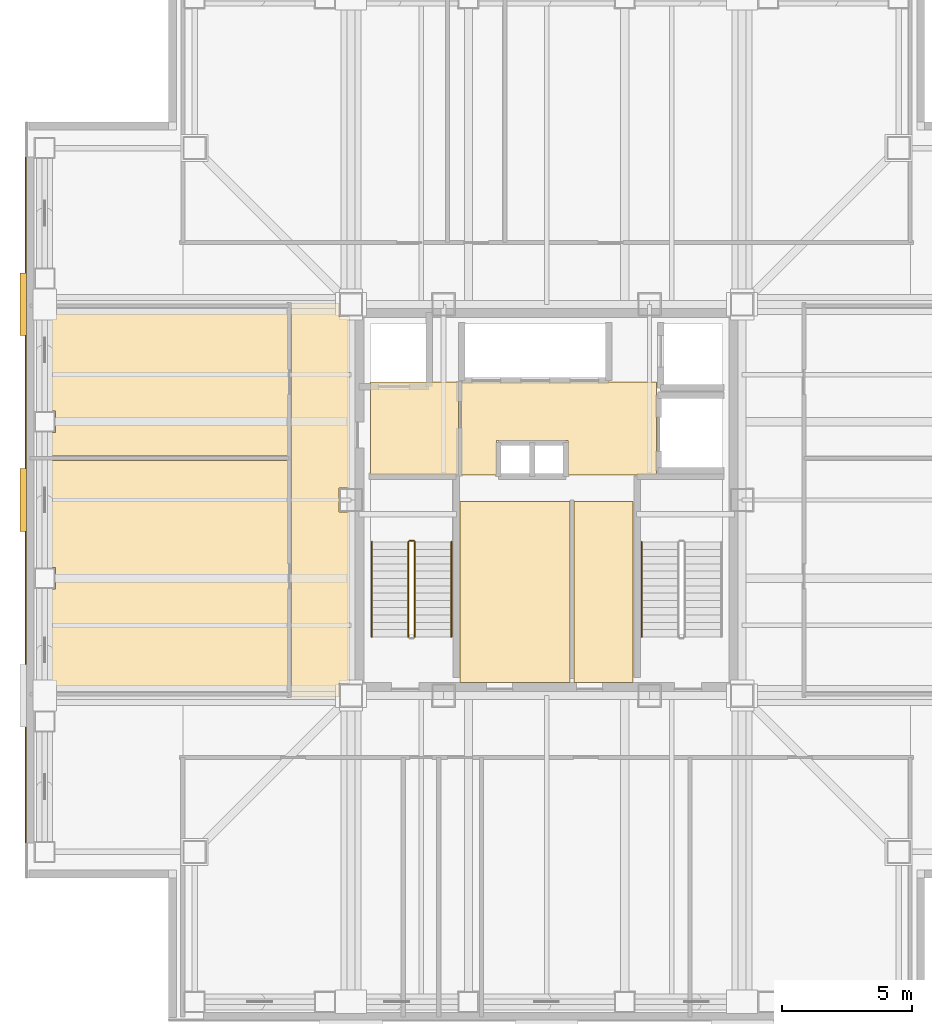
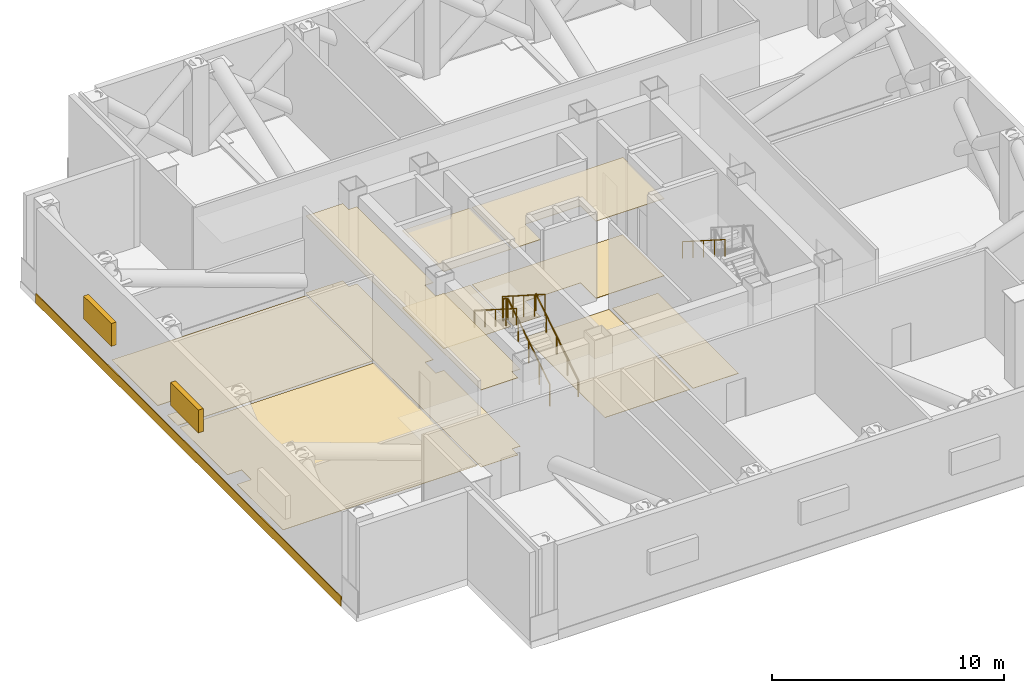
# One storey, part 8 of 10: 11 coverings, 6 railings, 2 shading devices.
"""IFC4 building model written with IfcOpenShell, lengths in metres."""

from ifc_helpers import new_model, si_unit, direction, frame, frame_2d, origin, origin_2d, place, context, subcontext, project, spatial, polyline, rectangle, circle, outline, extrude, material, layer, layer_set, type_object, element, save


model = new_model("IFC4")

# Units and contexts
model_context = context("Model", 3, precision=1e-05, world=origin(), true_north=direction((0.0, 1.0)))
body_context = subcontext(model_context, "Body", "Model", "MODEL_VIEW")
ifc_project = project(units=[si_unit("LENGTHUNIT", "METRE"), si_unit("AREAUNIT", "SQUARE_METRE"), si_unit("VOLUMEUNIT", "CUBIC_METRE"), si_unit("PLANEANGLEUNIT", "RADIAN"), si_unit("MASSUNIT", "GRAM", prefix="KILO")], contexts=[model_context])

# Site, building, storey
site_placement = place(None, origin())
site = spatial("IfcSite", under=ifc_project, at=site_placement, CompositionType="ELEMENT")
building_placement = place(site_placement, origin())
building = spatial("IfcBuilding", under=site, at=building_placement, Name="Trevonay Congress Spire", CompositionType="ELEMENT")
storey_placement = place(building_placement, frame((0.0, 0.0, 227.39990234375)))
storey = spatial("IfcBuildingStorey", under=building, at=storey_placement, Name="L59", CompositionType="ELEMENT", Elevation=227.39990234375)

# Coverings
ifc_material_1 = material(Name="Acoustic Mineral Fibre Board", Category="gypsum")
ifc_layer_1 = layer(ifc_material_1, 0.02490234375, Name="Acoustic Mineral Fibre Board")
ifc_layer_set_1 = layer_set([ifc_layer_1], Name="Acoustic Mineral Fibre Board")
covering_type_1 = type_object("IfcCoveringType", Name="COV-CEIL-ACOUSTIC", PredefinedType="CEILING", material=ifc_layer_set_1)
covering_1_placement = place(storey_placement, frame((0.0, 0.0, 4.050048828125)))
element("IfcCovering", 1, at=covering_1_placement, inside=storey, type_object=covering_type_1, Name="L59 Firefighting Lift Lobby West acoustic suspended ceiling", PredefinedType="CEILING", context=body_context, shape_type="SweptSolid", body=[
    extrude(outline(polyline([(-6.75, 0.9599609375), (-3.3798828125, 0.9599609375), (-3.3798828125, 4.52001953125), (-6.75, 4.52001953125), (-6.75, 0.9599609375)])), origin(), (0.0, 0.0, 1.0), 0.025146484375),
])
covering_2_placement = place(storey_placement, frame((0.0, 0.0, 4.050048828125)))
element("IfcCovering", 2, at=covering_2_placement, inside=storey, type_object=covering_type_1, Name="L59 Central and High-Rise Passenger Lift Lobby acoustic suspended ceiling", PredefinedType="CEILING", context=body_context, shape_type="SweptSolid", body=[
    extrude(outline(polyline([(-3.280029296875, 0.949951171875), (-1.919921875, 0.949951171875), (-1.919921875, 2.280029296875), (0.820068359375, 2.280029296875), (0.820068359375, 0.949951171875), (4.219970703125, 0.949951171875), (4.219970703125, 4.52001953125), (-3.280029296875, 4.52001953125), (-3.280029296875, 0.949951171875)])), origin(), (0.0, 0.0, 1.0), 0.025146484375),
])
covering_3_placement = place(storey_placement, frame((0.0, 0.0, 4.050048828125)))
element("IfcCovering", 3, at=covering_3_placement, inside=storey, type_object=covering_type_1, Name="L59 Plant and Refuge Corridor West acoustic suspended ceiling", PredefinedType="CEILING", context=body_context, shape_type="SweptSolid", body=[
    extrude(outline(polyline([(-9.800048828125, 7.550048828125), (-7.9599609375, 7.550048828125), (-7.9599609375, 7.0400390625), (-7.550048828125, 7.0400390625), (-7.550048828125, 0.4599609375), (-7.9599609375, 0.4599609375), (-7.9599609375, -0.4599609375), (-7.550048828125, -0.4599609375), (-7.550048828125, -7.0400390625), (-7.9599609375, -7.0400390625), (-7.9599609375, -7.550048828125), (-9.800048828125, -7.550048828125), (-9.800048828125, 7.550048828125)])), origin(), (0.0, 0.0, 1.0), 0.025146484375),
])
ifc_material_2 = material(Name="Polished Granite Floor Tile", Category="masonry")
ifc_layer_2 = layer(ifc_material_2, 0.02001953125, Name="Polished Granite Floor Tile")
ifc_layer_set_2 = layer_set([ifc_layer_2], Name="Polished Granite Floor Tile")
covering_type_2 = type_object("IfcCoveringType", Name="COV-FLOOR-STONE", PredefinedType="FLOORING", material=ifc_layer_set_2)
covering_4_placement = place(storey_placement, origin())
element("IfcCovering", 4, at=covering_4_placement, inside=storey, type_object=covering_type_2, Name="L59 Firefighting Lift Lobby West floor finish", PredefinedType="FLOORING", context=body_context, shape_type="SweptSolid", body=[
    extrude(outline(polyline([(-6.75, 0.9599609375), (-3.3798828125, 0.9599609375), (-3.3798828125, 4.52001953125), (-6.75, 4.52001953125), (-6.75, 0.9599609375)])), origin(), (0.0, 0.0, 1.0), 0.02001953125),
])
covering_5_placement = place(storey_placement, origin())
element("IfcCovering", 5, at=covering_5_placement, inside=storey, type_object=covering_type_2, Name="L59 Central and High-Rise Passenger Lift Lobby floor finish", PredefinedType="FLOORING", context=body_context, shape_type="SweptSolid", body=[
    extrude(outline(polyline([(-3.280029296875, 0.949951171875), (-1.919921875, 0.949951171875), (-1.919921875, 2.280029296875), (0.820068359375, 2.280029296875), (0.820068359375, 0.949951171875), (4.219970703125, 0.949951171875), (4.219970703125, 4.52001953125), (-3.280029296875, 4.52001953125), (-3.280029296875, 0.949951171875)])), origin(), (0.0, 0.0, 1.0), 0.02001953125),
])
covering_6_placement = place(storey_placement, origin())
element("IfcCovering", 6, at=covering_6_placement, inside=storey, type_object=covering_type_2, Name="L59 Translation Equipment Hub floor finish", PredefinedType="FLOORING", context=body_context, shape_type="SweptSolid", body=[
    extrude(outline(polyline([(-3.320068359375, -7.0), (0.89990234375, -7.0), (0.89990234375, -0.050048828125), (-3.320068359375, -0.050048828125), (-3.320068359375, -7.0)])), origin(), (0.0, 0.0, 1.0), 0.02001953125),
])
covering_7_placement = place(storey_placement, origin())
element("IfcCovering", 7, at=covering_7_placement, inside=storey, type_object=covering_type_2, Name="L59 Floor Supplies Store floor finish", PredefinedType="FLOORING", context=body_context, shape_type="SweptSolid", body=[
    extrude(outline(polyline([(1.06005859375, -7.0), (3.320068359375, -7.0), (3.320068359375, -0.050048828125), (1.06005859375, -0.050048828125), (1.06005859375, -7.0)])), origin(), (0.0, 0.0, 1.0), 0.02001953125),
])
covering_8_placement = place(storey_placement, origin())
element("IfcCovering", 8, at=covering_8_placement, inside=storey, type_object=covering_type_2, Name="L59 Plant and Refuge Corridor West floor finish", PredefinedType="FLOORING", context=body_context, shape_type="SweptSolid", body=[
    extrude(outline(polyline([(-9.800048828125, 7.550048828125), (-7.9599609375, 7.550048828125), (-7.9599609375, 7.0400390625), (-7.550048828125, 7.0400390625), (-7.550048828125, 0.4599609375), (-7.9599609375, 0.4599609375), (-7.9599609375, -0.4599609375), (-7.550048828125, -0.4599609375), (-7.550048828125, -7.0400390625), (-7.9599609375, -7.0400390625), (-7.9599609375, -7.550048828125), (-9.800048828125, -7.550048828125), (-9.800048828125, 7.550048828125)])), origin(), (0.0, 0.0, 1.0), 0.02001953125),
])
covering_9_placement = place(storey_placement, origin())
element("IfcCovering", 9, at=covering_9_placement, inside=storey, type_object=covering_type_2, Name="L59 Refuge Area West floor finish", PredefinedType="FLOORING", context=body_context, shape_type="SweptSolid", body=[
    extrude(outline(polyline([(-19.550048828125, 1.52001953125), (-9.8798828125, 1.52001953125), (-9.8798828125, -7.3701171875), (-19.550048828125, -7.3701171875), (-19.550048828125, -3.409912109375), (-18.840087890625, -3.409912109375), (-18.840087890625, -2.590087890625), (-19.550048828125, -2.590087890625), (-19.550048828125, 1.52001953125)])), origin(), (0.0, 0.0, 1.0), 0.02001953125),
])
covering_10_placement = place(storey_placement, origin())
element("IfcCovering", 10, at=covering_10_placement, inside=storey, type_object=covering_type_2, Name="L59 Pressurization Fan Room West floor finish", PredefinedType="FLOORING", context=body_context, shape_type="SweptSolid", body=[
    extrude(outline(polyline([(-19.550048828125, 7.3701171875), (-9.8798828125, 7.3701171875), (-9.8798828125, 1.679931640625), (-19.550048828125, 1.679931640625), (-19.550048828125, 2.590087890625), (-18.840087890625, 2.590087890625), (-18.840087890625, 3.409912109375), (-19.550048828125, 3.409912109375), (-19.550048828125, 7.3701171875)])), origin(), (0.0, 0.0, 1.0), 0.02001953125),
])
ifc_material_3 = material(Name="Pale Anodised Aluminium EN AW-6063-T6", Category="aluminium")
ifc_layer_3 = layer(ifc_material_3, 0.0400390625, Name="Pale Anodised Aluminium EN AW-6063-T6")
ifc_layer_set_3 = layer_set([ifc_layer_3], Name="Pale Anodised Aluminium EN AW-6063-T6")
covering_type_3 = type_object("IfcCoveringType", Name="COV-SPANDREL-PALE-METAL", PredefinedType="CLADDING", material=ifc_layer_set_3)
covering_11_placement = place(storey_placement, frame((-19.97998046875, -13.14990234375, -0.349853515625), z_axis=(0.0, 0.0, 1.0), x_axis=(0.0, 1.0, 0.0)))
element("IfcCovering", 11, at=covering_11_placement, inside=storey, type_object=covering_type_3, Name="L59 W pale-metal belt-truss spandrel cladding", PredefinedType="CLADDING", context=body_context, shape_type="SweptSolid", body=[
    extrude(rectangle(XDim=26.2998046875, YDim=0.0400390625, at=frame_2d((13.14990234375, 0.0))), origin(), (0.0, 0.0, 1.0), 0.5),
])

# Railings
railing_type_1 = type_object("IfcRailingType", Name="RAL-STAIR-GUARD-110", PredefinedType="GUARDRAIL", material=ifc_material_3)
railing_1_placement = place(storey_placement, frame((-5.050048828125, -5.25, 0.1787109375)))
element("IfcRailing", 12, at=railing_1_placement, inside=storey, type_object=railing_type_1, Name="L59 ST-1 stair guard 1", PredefinedType="GUARDRAIL", context=body_context, shape_type="SweptSolid", body=[
    extrude(circle(Radius=0.02392578125, at=origin_2d()), frame((0.0, 0.0, 1.1259765625), z_axis=(0.0, 0.843137146238, 0.537698570422), x_axis=(-1.0, 0.0, 0.0)), (0.0, 0.0, 1.0), 4.317138671875),
    extrude(circle(Radius=0.02099609375, at=origin_2d()), origin(), (0.0, 0.0, 1.0), 1.101806640625),
    extrude(circle(Radius=0.02099609375, at=origin_2d()), frame((0.0, 0.909912109375, 0.580322265625)), (0.0, 0.0, 1.0), 1.101806640625),
    extrude(circle(Radius=0.02099609375, at=origin_2d()), frame((0.0, 1.81982421875, 1.16064453125)), (0.0, 0.0, 1.0), 1.101806640625),
    extrude(circle(Radius=0.02099609375, at=origin_2d()), frame((0.0, 2.72998046875, 1.740966796875)), (0.0, 0.0, 1.0), 1.101806640625),
    extrude(circle(Radius=0.02099609375, at=origin_2d()), frame((0.0, 3.639892578125, 2.3212890625)), (0.0, 0.0, 1.0), 1.101806640625),
])
railing_2_placement = place(storey_placement, frame((-5.10009765625, -1.56005859375, 2.5)))
element("IfcRailing", 13, at=railing_2_placement, inside=storey, type_object=railing_type_1, Name="L59 ST-1 stair guard 2", PredefinedType="GUARDRAIL", context=body_context, shape_type="SweptSolid", body=[
    extrude(circle(Radius=0.02392578125, at=origin_2d()), frame((0.0, 0.0, 1.1259765625), z_axis=(-1.0, 0.0, 0.0), x_axis=(0.0, -1.0, 0.0)), (0.0, 0.0, 1.0), 0.14990234375),
    extrude(circle(Radius=0.02099609375, at=origin_2d()), origin(), (0.0, 0.0, 1.0), 1.101806640625),
    extrude(circle(Radius=0.02099609375, at=origin_2d()), frame((-0.14990234375, 0.0, 0.0)), (0.0, 0.0, 1.0), 1.101806640625),
])
railing_3_placement = place(storey_placement, frame((-5.300048828125, -1.610107421875, 2.6787109375)))
element("IfcRailing", 14, at=railing_3_placement, inside=storey, type_object=railing_type_1, Name="L59 ST-1 stair guard 3", PredefinedType="GUARDRAIL", context=body_context, shape_type="SweptSolid", body=[
    extrude(circle(Radius=0.02392578125, at=origin_2d()), frame((0.0, 0.0, 1.1259765625), z_axis=(0.0, -0.843137146238, 0.537698570422), x_axis=(1.0, 0.0, 0.0)), (0.0, 0.0, 1.0), 4.317138671875),
    extrude(circle(Radius=0.02099609375, at=origin_2d()), origin(), (0.0, 0.0, 1.0), 1.101806640625),
    extrude(circle(Radius=0.02099609375, at=origin_2d()), frame((0.0, -0.909912109375, 0.580322265625)), (0.0, 0.0, 1.0), 1.101806640625),
    extrude(circle(Radius=0.02099609375, at=origin_2d()), frame((0.0, -1.81982421875, 1.16064453125)), (0.0, 0.0, 1.0), 1.101806640625),
    extrude(circle(Radius=0.02099609375, at=origin_2d()), frame((0.0, -2.72998046875, 1.740966796875)), (0.0, 0.0, 1.0), 1.101806640625),
    extrude(circle(Radius=0.02099609375, at=origin_2d()), frame((0.0, -3.639892578125, 2.3212890625)), (0.0, 0.0, 1.0), 1.101806640625),
])
railing_type_2 = type_object("IfcRailingType", Name="RAL-STAIR-HANDRAIL", PredefinedType="HANDRAIL", material=ifc_material_3)
railing_4_placement = place(storey_placement, frame((-3.64990234375, -5.25, 0.1787109375)))
element("IfcRailing", 15, at=railing_4_placement, inside=storey, type_object=railing_type_2, Name="L59 ST-1 stair handrail 1", PredefinedType="HANDRAIL", context=body_context, shape_type="SweptSolid", body=[
    extrude(circle(Radius=0.02392578125, at=origin_2d()), frame((0.0, 0.0, 0.8759765625), z_axis=(0.0, 0.843137146238, 0.537698570422), x_axis=(-1.0, 0.0, 0.0)), (0.0, 0.0, 1.0), 4.317138671875),
    extrude(circle(Radius=0.02099609375, at=origin_2d()), origin(), (0.0, 0.0, 1.0), 0.851806640625),
    extrude(circle(Radius=0.02099609375, at=origin_2d()), frame((0.0, 0.909912109375, 0.580322265625)), (0.0, 0.0, 1.0), 0.851806640625),
    extrude(circle(Radius=0.02099609375, at=origin_2d()), frame((0.0, 1.81982421875, 1.16064453125)), (0.0, 0.0, 1.0), 0.851806640625),
    extrude(circle(Radius=0.02099609375, at=origin_2d()), frame((0.0, 2.72998046875, 1.740966796875)), (0.0, 0.0, 1.0), 0.851806640625),
    extrude(circle(Radius=0.02099609375, at=origin_2d()), frame((0.0, 3.639892578125, 2.3212890625)), (0.0, 0.0, 1.0), 0.851806640625),
])
for number, where, name in (
    (16, (-6.699951171875, -1.610107421875, 2.6787109375), "L59 ST-1 stair handrail 2"),
    (17, (3.64990234375, -1.610107421875, 2.6787109375), "L59 ST-2 stair handrail 2"),
):
    element("IfcRailing", number, at=place(storey_placement, frame(where)), inside=storey, type_object=railing_type_2, Name=name, PredefinedType="HANDRAIL", context=body_context, shape_type="SweptSolid", body=[
        extrude(circle(Radius=0.02392578125, at=origin_2d()), frame((0.0, 0.0, 0.8759765625), z_axis=(0.0, -0.843137146238, 0.537698570422), x_axis=(1.0, 0.0, 0.0)), (0.0, 0.0, 1.0), 4.317138671875),
        extrude(circle(Radius=0.02099609375, at=origin_2d()), origin(), (0.0, 0.0, 1.0), 0.851806640625),
        extrude(circle(Radius=0.02099609375, at=origin_2d()), frame((0.0, -0.909912109375, 0.580322265625)), (0.0, 0.0, 1.0), 0.851806640625),
        extrude(circle(Radius=0.02099609375, at=origin_2d()), frame((0.0, -1.81982421875, 1.16064453125)), (0.0, 0.0, 1.0), 0.851806640625),
        extrude(circle(Radius=0.02099609375, at=origin_2d()), frame((0.0, -2.72998046875, 1.740966796875)), (0.0, 0.0, 1.0), 0.851806640625),
        extrude(circle(Radius=0.02099609375, at=origin_2d()), frame((0.0, -3.639892578125, 2.3212890625)), (0.0, 0.0, 1.0), 0.851806640625),
    ])

# Shading devices
shading_device_type = type_object("IfcShadingDeviceType", Name="SHD-LOUVRE-PLANT-ALUM", PredefinedType="USERDEFINED", material=ifc_material_3)
for number, where, z_axis, x_axis, name in (
    (18, (-20.070068359375, 0.0, 1.60009765625), (0.0, 0.0, 1.0), (0.0, 1.0, 0.0), "L59 W acoustic plant intake louvre 2"),
    (19, (-20.070068359375, 7.5, 1.60009765625), (0.0, 0.0, 1.0), (0.0, 1.0, 0.0), "L59 W acoustic plant intake louvre 3"),
):
    element("IfcShadingDevice", number, at=place(storey_placement, frame(where, z_axis=z_axis, x_axis=x_axis)), inside=storey, type_object=shading_device_type, Name=name, ObjectType="LOUVRE", PredefinedType="USERDEFINED", context=body_context, shape_type="SweptSolid", body=[
        extrude(rectangle(XDim=2.39990234375, YDim=0.25, at=origin_2d()), origin(), (0.0, 0.0, 1.0), 1.199951171875),
    ])

save(model, "model.ifc")
